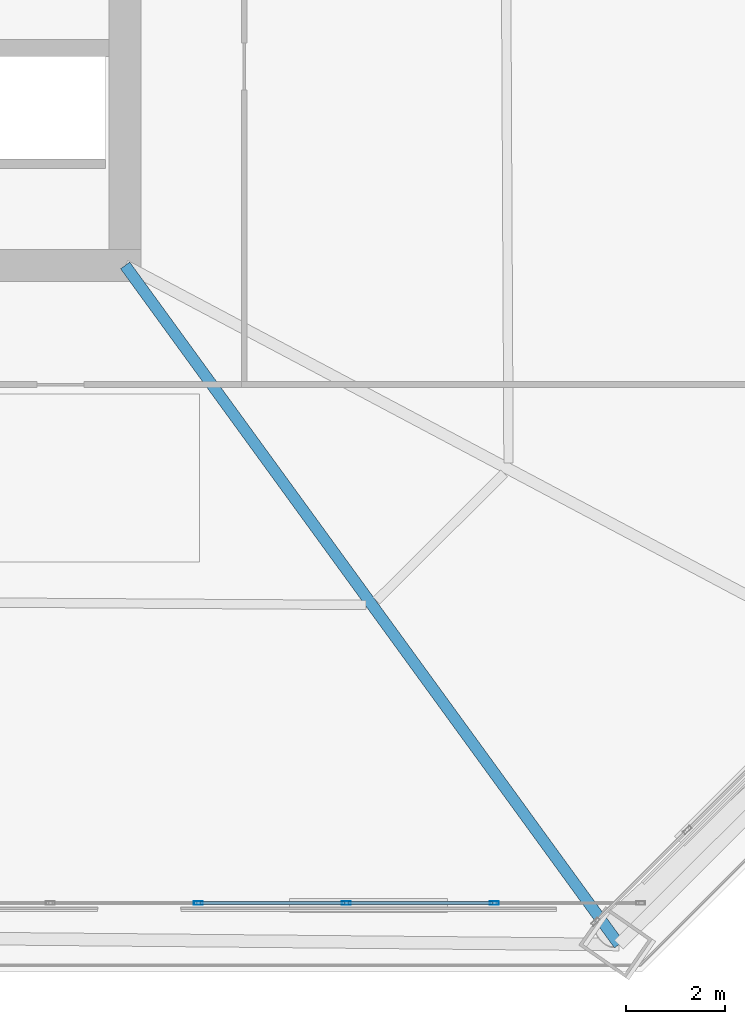
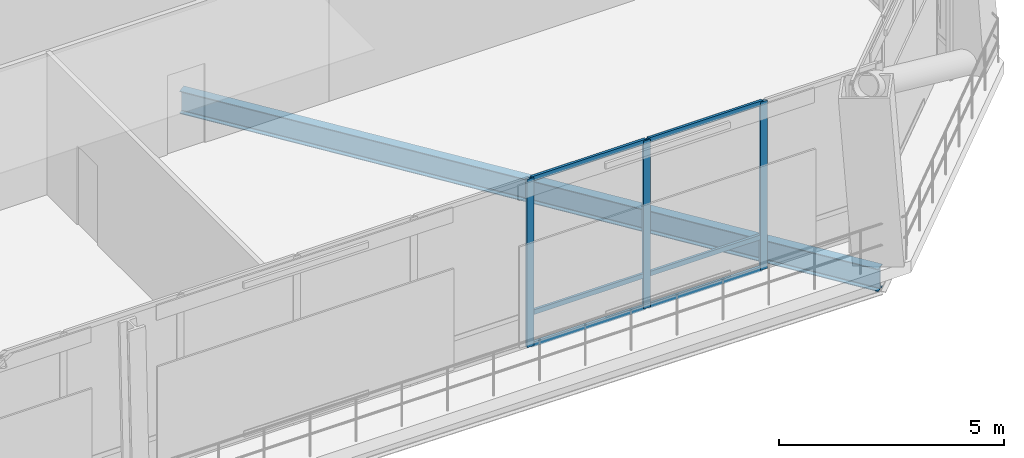
# One storey, part 19 of 48: 9 members, 1 beam, 1 element without a shape of its own.
"""IFC4 building model written with IfcOpenShell, lengths in metres."""

from ifc_helpers import new_model, si_unit, direction, frame, origin, origin_2d, place, context, subcontext, project, spatial, hollow_rectangle, i_section, extrude, material, layer, layer_set, material_profile, profile_set, type_object, element, aggregate, save


model = new_model("IFC4")

# Units and contexts
model_context = context("Model", 3, precision=1e-05, world=origin(), true_north=direction((0.0, 1.0)))
body_context = subcontext(model_context, "Body", "Model", "MODEL_VIEW")
ifc_project = project(units=[si_unit("LENGTHUNIT", "METRE"), si_unit("AREAUNIT", "SQUARE_METRE"), si_unit("VOLUMEUNIT", "CUBIC_METRE"), si_unit("PLANEANGLEUNIT", "RADIAN"), si_unit("MASSUNIT", "GRAM", prefix="KILO")], contexts=[model_context])

# Site, building, storey
site_placement = place(None, origin())
site = spatial("IfcSite", under=ifc_project, at=site_placement, CompositionType="ELEMENT")
building_placement = place(site_placement, origin())
building = spatial("IfcBuilding", under=site, at=building_placement, Name="Caelvoria Tower", CompositionType="ELEMENT")
storey_placement = place(building_placement, frame((0.0, 0.0, 90.39990234375)))
storey = spatial("IfcBuildingStorey", under=building, at=storey_placement, Name="L23", CompositionType="ELEMENT", Elevation=90.39990234375)

# Curtain wall, members
ifc_material_1 = material(Name="Anodised Bronze Aluminium and Low-E Glass", Category="aluminium")
ifc_layer = layer(ifc_material_1, 0.2099609375, Name="Anodised Bronze Aluminium and Low-E Glass")
ifc_layer_set = layer_set([ifc_layer], Name="CW System 3 Sky Lobby Double-Height Acoustic Facade - Anodised Bronze Aluminium and Low-E Glass")
curtain_wall_type = type_object("IfcCurtainWallType", Name="CW System 3 Sky Lobby Double-Height Acoustic Facade", PredefinedType="NOTDEFINED", material=ifc_layer_set)
curtain_wall_placement = place(storey_placement, origin())
curtain_wall = element("IfcCurtainWall", 1, at=curtain_wall_placement, inside=storey, type_object=curtain_wall_type, Name="CW-03 Curtain Wall L23-E0", PredefinedType="NOTDEFINED")
ifc_material_2 = material(Name="Anodised Bronze Architectural Aluminium", Category="aluminium")
ifc_material_profile_1 = material_profile(ifc_material_2, hollow_rectangle(XDim=0.070068359375, YDim=0.179931640625, WallThickness=0.00390625, at=origin_2d()), Name="Anodised Bronze Architectural Aluminium")
ifc_profile_set_1 = profile_set([ifc_material_profile_1], Name="CW_MULL_70X180 - Anodised Bronze Architectural Aluminium")
member_type_1 = type_object("IfcMemberType", Name="Curtain Wall Mullion 70x180 Bronze Aluminium", PredefinedType="MULLION", material=ifc_profile_set_1)
member_1_placement = place(storey_placement, frame((56.482177734375, 11.0966796875, 0.0), z_axis=(0.0, 0.0, 1.0), x_axis=(0.0, 1.0, 0.0)))
member_1 = element("IfcMember", 2, at=member_1_placement, type_object=member_type_1, Name="CW-03 mullion 11", PredefinedType="MULLION", context=body_context, shape_type="SweptSolid", body=[
    extrude(hollow_rectangle(XDim=0.070068359375, YDim=0.179931640625, WallThickness=0.00390625, at=origin_2d()), origin(), (0.0, 0.0, 1.0), 4.56005859375),
])
member_2_placement = place(storey_placement, frame((59.47705078125, 11.0966796875, 0.0), z_axis=(0.0, 0.0, 1.0), x_axis=(0.0, 1.0, 0.0)))
member_2 = element("IfcMember", 3, at=member_2_placement, type_object=member_type_1, Name="CW-03 mullion 12", PredefinedType="MULLION", context=body_context, shape_type="SweptSolid", body=[
    extrude(hollow_rectangle(XDim=0.070068359375, YDim=0.179931640625, WallThickness=0.00390625, at=origin_2d()), origin(), (0.0, 0.0, 1.0), 4.56005859375),
])
member_3_placement = place(storey_placement, frame((62.471923828125, 11.0966796875, 0.0), z_axis=(0.0, 0.0, 1.0), x_axis=(0.0, 1.0, 0.0)))
member_3 = element("IfcMember", 4, at=member_3_placement, type_object=member_type_1, Name="CW-03 mullion 13", PredefinedType="MULLION", context=body_context, shape_type="SweptSolid", body=[
    extrude(hollow_rectangle(XDim=0.070068359375, YDim=0.179931640625, WallThickness=0.00390625, at=origin_2d()), origin(), (0.0, 0.0, 1.0), 4.56005859375),
])
ifc_material_profile_2 = material_profile(ifc_material_2, hollow_rectangle(XDim=0.06494140625, YDim=0.1298828125, WallThickness=0.00341796875, at=origin_2d()), Name="Anodised Bronze Architectural Aluminium")
ifc_profile_set_2 = profile_set([ifc_material_profile_2], Name="CW_TRAN_65X130 - Anodised Bronze Architectural Aluminium")
member_type_2 = type_object("IfcMemberType", Name="Curtain Wall Transom 65x130 Bronze Aluminium", PredefinedType="USERDEFINED", material=ifc_profile_set_2)
member_4_placement = place(storey_placement, frame((56.51708984375, 11.0966796875, 0.03271484375), z_axis=(1.0, 0.0, 0.0), x_axis=(0.0, 1.0, 0.0)))
member_4 = element("IfcMember", 5, at=member_4_placement, type_object=member_type_2, Name="CW-03 transom 11.1", ObjectType="TRANSOM", PredefinedType="USERDEFINED", context=body_context, shape_type="SweptSolid", body=[
    extrude(hollow_rectangle(XDim=0.06494140625, YDim=0.1298828125, WallThickness=0.00341796875, at=origin_2d()), origin(), (0.0, 0.0, 1.0), 2.9248046875),
])
member_5_placement = place(storey_placement, frame((56.51708984375, 11.0966796875, 0.900146484375), z_axis=(1.0, 0.0, 0.0), x_axis=(0.0, 1.0, 0.0)))
member_5 = element("IfcMember", 6, at=member_5_placement, type_object=member_type_2, Name="CW-03 transom 11.2", ObjectType="TRANSOM", PredefinedType="USERDEFINED", context=body_context, shape_type="SweptSolid", body=[
    extrude(hollow_rectangle(XDim=0.06494140625, YDim=0.1298828125, WallThickness=0.00341796875, at=origin_2d()), origin(), (0.0, 0.0, 1.0), 2.9248046875),
])
member_6_placement = place(storey_placement, frame((56.51708984375, 11.0966796875, 4.527587890625), z_axis=(1.0, 0.0, 0.0), x_axis=(0.0, 1.0, 0.0)))
member_6 = element("IfcMember", 7, at=member_6_placement, type_object=member_type_2, Name="CW-03 transom 11.3", ObjectType="TRANSOM", PredefinedType="USERDEFINED", context=body_context, shape_type="SweptSolid", body=[
    extrude(hollow_rectangle(XDim=0.06494140625, YDim=0.1298828125, WallThickness=0.00341796875, at=origin_2d()), origin(), (0.0, 0.0, 1.0), 2.9248046875),
])
member_7_placement = place(storey_placement, frame((59.511962890625, 11.0966796875, 0.03271484375), z_axis=(1.0, 0.0, 0.0), x_axis=(0.0, 1.0, 0.0)))
member_7 = element("IfcMember", 8, at=member_7_placement, type_object=member_type_2, Name="CW-03 transom 12.1", ObjectType="TRANSOM", PredefinedType="USERDEFINED", context=body_context, shape_type="SweptSolid", body=[
    extrude(hollow_rectangle(XDim=0.06494140625, YDim=0.1298828125, WallThickness=0.00341796875, at=origin_2d()), origin(), (0.0, 0.0, 1.0), 2.9248046875),
])
member_8_placement = place(storey_placement, frame((59.511962890625, 11.0966796875, 0.900146484375), z_axis=(1.0, 0.0, 0.0), x_axis=(0.0, 1.0, 0.0)))
member_8 = element("IfcMember", 9, at=member_8_placement, type_object=member_type_2, Name="CW-03 transom 12.2", ObjectType="TRANSOM", PredefinedType="USERDEFINED", context=body_context, shape_type="SweptSolid", body=[
    extrude(hollow_rectangle(XDim=0.06494140625, YDim=0.1298828125, WallThickness=0.00341796875, at=origin_2d()), origin(), (0.0, 0.0, 1.0), 2.9248046875),
])
member_9_placement = place(storey_placement, frame((59.511962890625, 11.0966796875, 4.527587890625), z_axis=(1.0, 0.0, 0.0), x_axis=(0.0, 1.0, 0.0)))
member_9 = element("IfcMember", 10, at=member_9_placement, type_object=member_type_2, Name="CW-03 transom 12.3", ObjectType="TRANSOM", PredefinedType="USERDEFINED", context=body_context, shape_type="SweptSolid", body=[
    extrude(hollow_rectangle(XDim=0.06494140625, YDim=0.1298828125, WallThickness=0.00341796875, at=origin_2d()), origin(), (0.0, 0.0, 1.0), 2.9248046875),
])
aggregate(curtain_wall, [member_1, member_2, member_3, member_4, member_5, member_6, member_7, member_8, member_9])

# Beam
ifc_material_3 = material(Name="Structural Steel ASTM A992 Gr.50", Category="steel")
ifc_material_profile_3 = material_profile(ifc_material_3, i_section(OverallWidth=0.22900390625, OverallDepth=0.612060546875, WebThickness=0.011962890625, FlangeThickness=0.01953125, FilletRadius=0.01806640625, at=origin_2d()), Name="Structural Steel ASTM A992 Gr.50")
ifc_profile_set_3 = profile_set([ifc_material_profile_3], Name="W610X125 - Structural Steel ASTM A992 Gr.50")
beam_type = type_object("IfcBeamType", Name="Primary Radial Floor Girder W610X125", PredefinedType="BEAM", material=ifc_profile_set_3)
beam_placement = place(storey_placement, frame((55.0, 24.0, -0.6259765625), z_axis=(0.588145211452, -0.808755346348, 0.0), x_axis=(0.808755346348, 0.588145211452, 0.0)))
element("IfcBeam", 11, at=beam_placement, inside=storey, type_object=beam_type, Name="Primary Floor Girder L23-02", PredefinedType="BEAM", context=body_context, shape_type="SweptSolid", body=[
    extrude(i_section(OverallWidth=0.22900390625, OverallDepth=0.612060546875, WebThickness=0.011962890625, FlangeThickness=0.01953125, FilletRadius=0.01806640625, at=origin_2d()), origin(), (0.0, 0.0, 1.0), 16.990478515625),
])

save(model, "model.ifc")
